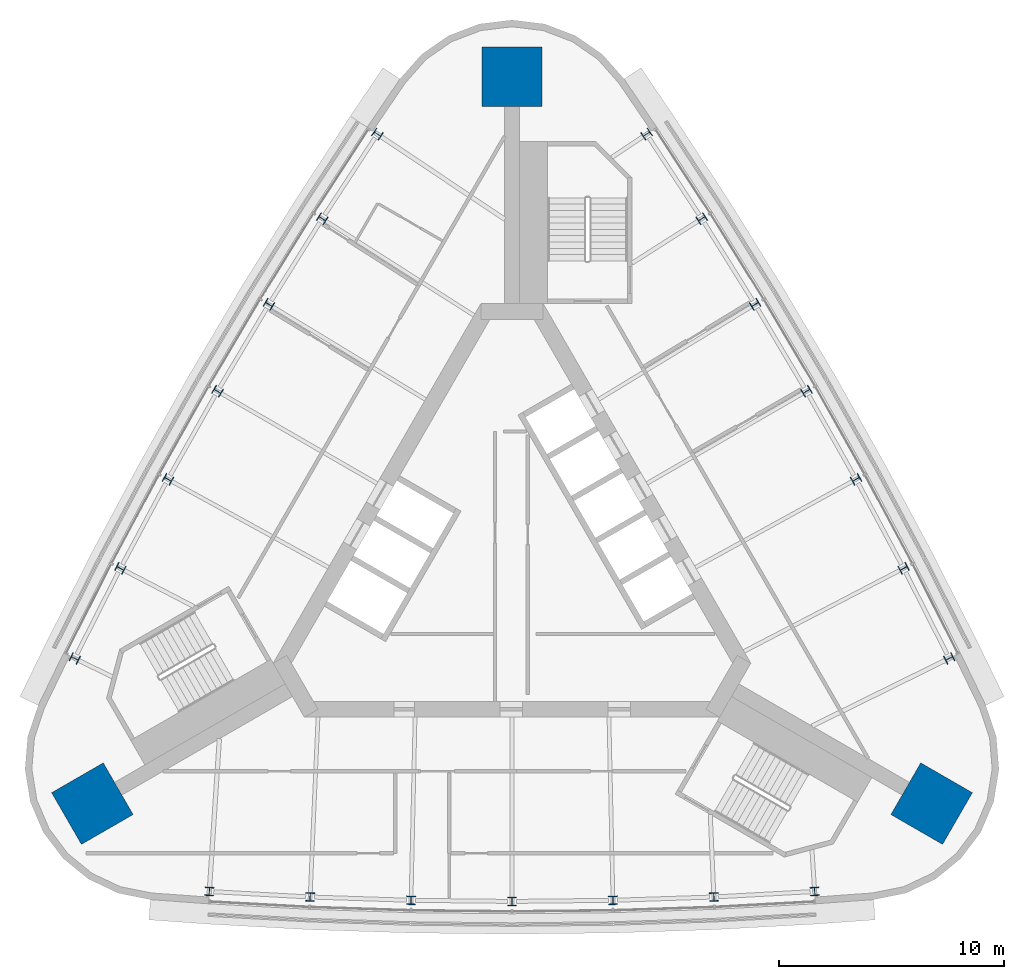
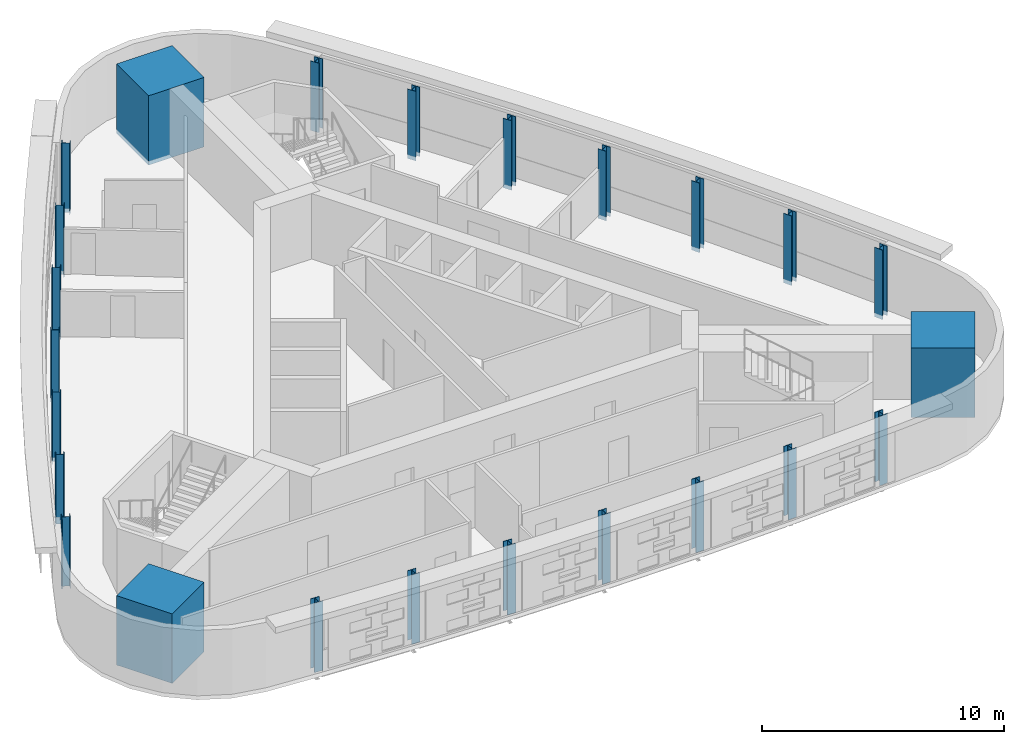
# One storey, part 1 of 11: 24 columns.
"""IFC4 building model written with IfcOpenShell, lengths in metres."""

from ifc_helpers import new_model, si_unit, direction, frame, origin, origin_2d, place, context, subcontext, project, spatial, rectangle, i_section, extrude, material, material_profile, profile_set, type_object, element, save


model = new_model("IFC4")

# Units and contexts
model_context = context("Model", 3, precision=1e-05, world=origin(), true_north=direction((0.0, 1.0)))
body_context = subcontext(model_context, "Body", "Model", "MODEL_VIEW")
ifc_project = project(units=[si_unit("LENGTHUNIT", "METRE"), si_unit("AREAUNIT", "SQUARE_METRE"), si_unit("VOLUMEUNIT", "CUBIC_METRE"), si_unit("PLANEANGLEUNIT", "RADIAN"), si_unit("MASSUNIT", "GRAM", prefix="KILO")], contexts=[model_context])

# Site, building, storey
site_placement = place(None, origin())
site = spatial("IfcSite", under=ifc_project, at=site_placement, CompositionType="ELEMENT")
building_placement = place(site_placement, origin())
building = spatial("IfcBuilding", under=site, at=building_placement, Name="Noor Cloister Tower", CompositionType="ELEMENT")
storey_placement = place(building_placement, frame((0.0, 0.0, 206.699951171875)))
storey = spatial("IfcBuildingStorey", under=building, at=storey_placement, Name="L53", CompositionType="ELEMENT", Elevation=206.699951171875)

# Columns
ifc_material_1 = material(Name="Steel ASTM A992 Gr 50", Category="steel")
ifc_material_profile_1 = material_profile(ifc_material_1, i_section(OverallWidth=0.39404296875, OverallDepth=0.3759765625, WebThickness=0.017333984375, FlangeThickness=0.027587890625, FilletRadius=0.01513671875, at=origin_2d()), Name="W360x216")
ifc_profile_set_1 = profile_set([ifc_material_profile_1], Name="Steel ASTM A992 Gr 50")
column_type_1 = type_object("IfcColumnType", Name="Column W360x216", PredefinedType="COLUMN", material=ifc_profile_set_1)
for number, where, z_axis, x_axis, name in (
    (1, (-5.981689453125, 18.989013671875, -0.199951171875), (0.0, 0.0, 1.0), (-0.55575688137, -0.831344867555, 0.0), "Column NW 01 L53"),
    (2, (-8.434814453125, 15.231201171875, -0.199951171875), (0.0, 0.0, 1.0), (-0.537425828173, -0.843311021636, 0.0), "Column NW 02 L53"),
    (3, (-10.80517578125, 11.420166015625, -0.199951171875), (0.0, 0.0, 1.0), (-0.51883723173, -0.854873047283, 0.0), "Column NW 03 L53"),
    (4, (-13.091552734375, 7.558349609375, -0.199951171875), (0.0, 0.0, 1.0), (-0.5, -0.866025403784, 0.0), "Column NW 04 L53"),
    (5, (-15.292724609375, 3.6474609375, -0.199951171875), (0.0, 0.0, 1.0), (-0.480923160093, -0.876762746749, 0.0), "Column NW 05 L53"),
    (6, (-17.407958984375, -0.310791015625, -0.199951171875), (0.0, 0.0, 1.0), (-0.461615853941, -0.887079930666, 0.0), "Column NW 06 L53"),
    (7, (-19.43603515625, -4.314208984375, -0.199951171875), (0.0, 0.0, 1.0), (-0.442087333923, -0.896972011372, 0.0), "Column NW 07 L53"),
    (8, (-13.4541015625, -14.6748046875, -0.199951171875), (0.0, 0.0, 1.0), (0.997844215293, -0.065627143817, 0.0), "Column S 01 L53"),
    (9, (-8.97314453125, -14.92041015625, -0.199951171875), (0.0, 0.0, 1.0), (0.999041682115, -0.04376890903, 0.0), "Column S 02 L53"),
    (10, (-4.487548828125, -15.067626953125, -0.199951171875), (0.0, 0.0, 1.0), (0.999760391823, -0.021889699466, 0.0), "Column S 03 L53"),
    (11, (0.0, -15.116943359375, -0.199951171875), (0.0, 0.0, 1.0), (1.0, 0.0, 0.0), "Column S 04 L53"),
    (12, (4.487548828125, -15.067626953125, -0.199951171875), (0.0, 0.0, 1.0), (0.999760391823, 0.021889699466, 0.0), "Column S 05 L53"),
    (13, (8.97314453125, -14.92041015625, -0.199951171875), (0.0, 0.0, 1.0), (0.999041682115, 0.04376890903, 0.0), "Column S 06 L53"),
    (14, (13.4541015625, -14.6748046875, -0.199951171875), (0.0, 0.0, 1.0), (0.997844215293, 0.065627143817, 0.0), "Column S 07 L53"),
    (15, (19.43603515625, -4.314208984375, -0.199951171875), (0.0, 0.0, 1.0), (-0.442087333923, 0.896972011372, 0.0), "Column NE 01 L53"),
    (16, (17.407958984375, -0.310791015625, -0.199951171875), (0.0, 0.0, 1.0), (-0.461615853941, 0.887079930666, 0.0), "Column NE 02 L53"),
    (17, (15.292724609375, 3.6474609375, -0.199951171875), (0.0, 0.0, 1.0), (-0.480923160093, 0.876762746749, 0.0), "Column NE 03 L53"),
    (18, (13.091552734375, 7.558349609375, -0.199951171875), (0.0, 0.0, 1.0), (-0.5, 0.866025403784, 0.0), "Column NE 04 L53"),
    (19, (10.80517578125, 11.420166015625, -0.199951171875), (0.0, 0.0, 1.0), (-0.51883723173, 0.854873047283, 0.0), "Column NE 05 L53"),
    (20, (8.434814453125, 15.231201171875, -0.199951171875), (0.0, 0.0, 1.0), (-0.537425828173, 0.843311021636, 0.0), "Column NE 06 L53"),
    (21, (5.981689453125, 18.989013671875, -0.199951171875), (0.0, 0.0, 1.0), (-0.55575688137, 0.831344867555, 0.0), "Column NE 07 L53"),
):
    element("IfcColumn", number, at=place(storey_placement, frame(where, z_axis=z_axis, x_axis=x_axis)), inside=storey, type_object=column_type_1, Name=name, PredefinedType="COLUMN", context=body_context, shape_type="SweptSolid", body=[
        extrude(i_section(OverallWidth=0.39404296875, OverallDepth=0.3759765625, WebThickness=0.017333984375, FlangeThickness=0.027587890625, FilletRadius=0.01513671875, at=origin_2d()), origin(), (0.0, 0.0, 1.0), 3.5),
    ])
ifc_material_2 = material(Name="Concrete C70/85", Category="concrete")
ifc_material_profile_2 = material_profile(ifc_material_2, rectangle(XDim=2.64990234375, YDim=2.64990234375, at=origin_2d()), Name="RC 2650x2650")
ifc_profile_set_2 = profile_set([ifc_material_profile_2], Name="Concrete C70/85")
column_type_2 = type_object("IfcColumnType", Name="Corner pier 2650 x 2650 C70/85", PredefinedType="COLUMN", material=ifc_profile_set_2)
for number, where, z_axis, x_axis, name in (
    (22, (0.0, 21.5390625, -0.199951171875), (0.0, 0.0, 1.0), (0.0, 1.0, 0.0), "Corner pier N L53"),
    (23, (-18.6533203125, -10.76953125, -0.199951171875), (0.0, 0.0, 1.0), (-0.866025403784, -0.5, 0.0), "Corner pier SW L53"),
    (24, (18.6533203125, -10.76953125, -0.199951171875), (0.0, 0.0, 1.0), (0.866025403784, -0.5, 0.0), "Corner pier SE L53"),
):
    element("IfcColumn", number, at=place(storey_placement, frame(where, z_axis=z_axis, x_axis=x_axis)), inside=storey, type_object=column_type_2, Name=name, PredefinedType="COLUMN", context=body_context, shape_type="SweptSolid", body=[
        extrude(rectangle(XDim=2.64990234375, YDim=2.64990234375, at=origin_2d()), origin(), (0.0, 0.0, 1.0), 3.5),
    ])

save(model, "model.ifc")
